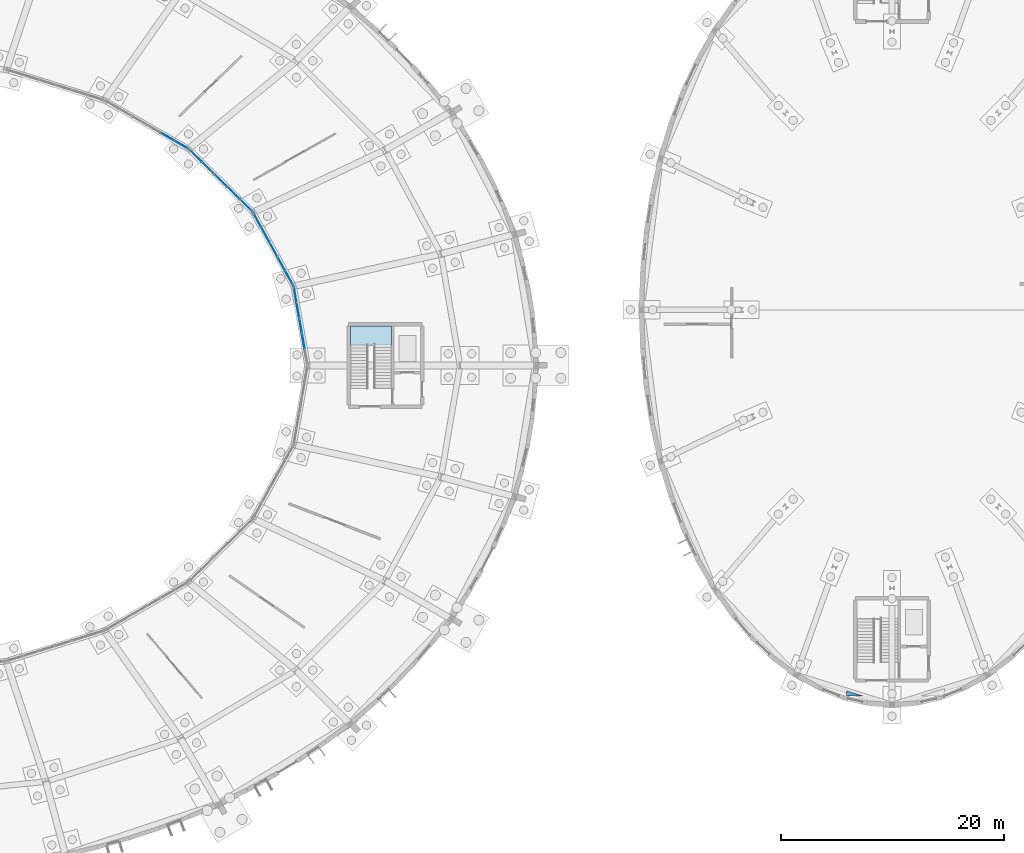
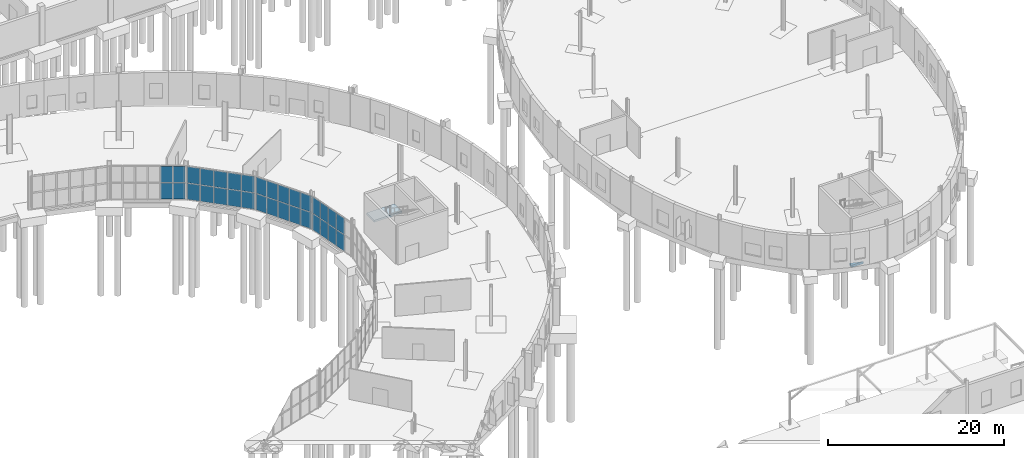
# One storey, part 77 of 118: 32 plates, 2 slabs, 5 elements without a shape of their own.
"""IFC4 building model written with IfcOpenShell, lengths in metres."""

from ifc_helpers import new_model, si_unit, direction, frame, origin, origin_2d, place, context, subcontext, project, spatial, polyline, rectangle, outline, extrude, material, layer, layer_set, type_object, element, aggregate, save


model = new_model("IFC4")

# Units and contexts
model_context = context("Model", 3, precision=1e-05, world=origin(), true_north=direction((0.0, 1.0)))
body_context = subcontext(model_context, "Body", "Model", "MODEL_VIEW")
ifc_project = project(units=[si_unit("LENGTHUNIT", "METRE"), si_unit("AREAUNIT", "SQUARE_METRE"), si_unit("VOLUMEUNIT", "CUBIC_METRE"), si_unit("PLANEANGLEUNIT", "RADIAN"), si_unit("MASSUNIT", "GRAM", prefix="KILO")], contexts=[model_context])

# Site, building, storey
site_placement = place(None, origin())
site = spatial("IfcSite", under=ifc_project, at=site_placement, CompositionType="ELEMENT")
building_placement = place(site_placement, origin())
building = spatial("IfcBuilding", under=site, at=building_placement, Name="Kildeholm Park Wholesale Market", CompositionType="ELEMENT")
storey_placement = place(building_placement, origin())
storey = spatial("IfcBuildingStorey", under=building, at=storey_placement, Name="L00", CompositionType="ELEMENT", Elevation=0.0)

# Curtain wall, plates
ifc_material_1 = material(Name="Anodised aluminium and low-E double-glazed glass", Category="aluminium")
curtain_wall_type = type_object("IfcCurtainWallType", Name="Market hall glazed arcade stick curtain wall CW-01", PredefinedType="NOTDEFINED", material=ifc_material_1)
curtain_wall_1_placement = place(storey_placement, origin())
curtain_wall_1 = element("IfcCurtainWall", 1, at=curtain_wall_1_placement, inside=storey, type_object=curtain_wall_type, Name="Curtain wall CW-V1-IN0-00 CW-0003", PredefinedType="NOTDEFINED")
ifc_material_2 = material(Name="Double-glazed low-E insulated glass", Category="glass")
ifc_layer_1 = layer(ifc_material_2, 0.028076171875)
ifc_layer_set_1 = layer_set([ifc_layer_1], Name="Double-glazed low-E insulated glass")
plate_type = type_object("IfcPlateType", Name="Curtain-wall panel CWP-1 28 mm", PredefinedType="CURTAIN_PANEL", material=ifc_layer_set_1)
plate_1_placement = place(storey_placement, frame((135.131103515625, 91.651611328125, 0.06494140625), z_axis=(0.0, 0.0, 1.0), x_axis=(-0.172132515628, 0.985073802851, 0.0)))
plate_1 = element("IfcPlate", 2, at=plate_1_placement, type_object=plate_type, Name="CW-01 panel 2.1 PLT-0204", PredefinedType="CURTAIN_PANEL", context=body_context, shape_type="SweptSolid", body=[
    extrude(rectangle(XDim=1.364013671875, YDim=0.028076171875, at=origin_2d()), origin(), (0.0, 0.0, 1.0), 2.25244140625),
])
plate_2_placement = place(storey_placement, frame((135.131103515625, 91.651611328125, 2.382568359375), z_axis=(0.0, 0.0, 1.0), x_axis=(-0.172132515628, 0.985073802851, 0.0)))
plate_2 = element("IfcPlate", 3, at=plate_2_placement, type_object=plate_type, Name="CW-01 panel 2.2 PLT-0205", PredefinedType="CURTAIN_PANEL", context=body_context, shape_type="SweptSolid", body=[
    extrude(rectangle(XDim=1.364013671875, YDim=0.028076171875, at=origin_2d()), origin(), (0.0, 0.0, 1.0), 2.25244140625),
])
plate_3_placement = place(storey_placement, frame((134.885009765625, 93.0595703125, 0.06494140625), z_axis=(0.0, 0.0, 1.0), x_axis=(-0.172132515628, 0.985073802851, 0.0)))
plate_3 = element("IfcPlate", 4, at=plate_3_placement, type_object=plate_type, Name="CW-01 panel 3.1 PLT-0206", PredefinedType="CURTAIN_PANEL", context=body_context, shape_type="SweptSolid", body=[
    extrude(rectangle(XDim=1.364013671875, YDim=0.028076171875, at=origin_2d()), origin(), (0.0, 0.0, 1.0), 2.25244140625),
])
plate_4_placement = place(storey_placement, frame((134.885009765625, 93.0595703125, 2.382568359375), z_axis=(0.0, 0.0, 1.0), x_axis=(-0.172132515628, 0.985073802851, 0.0)))
plate_4 = element("IfcPlate", 5, at=plate_4_placement, type_object=plate_type, Name="CW-01 panel 3.2 PLT-0207", PredefinedType="CURTAIN_PANEL", context=body_context, shape_type="SweptSolid", body=[
    extrude(rectangle(XDim=1.364013671875, YDim=0.028076171875, at=origin_2d()), origin(), (0.0, 0.0, 1.0), 2.25244140625),
])
plate_5_placement = place(storey_placement, frame((134.638916015625, 94.46728515625, 0.06494140625), z_axis=(0.0, 0.0, 1.0), x_axis=(-0.172132515628, 0.985073802851, 0.0)))
plate_5 = element("IfcPlate", 6, at=plate_5_placement, type_object=plate_type, Name="CW-01 panel 4.1 PLT-0208", PredefinedType="CURTAIN_PANEL", context=body_context, shape_type="SweptSolid", body=[
    extrude(rectangle(XDim=1.364013671875, YDim=0.028076171875, at=origin_2d()), origin(), (0.0, 0.0, 1.0), 2.25244140625),
])
plate_6_placement = place(storey_placement, frame((134.638916015625, 94.46728515625, 2.382568359375), z_axis=(0.0, 0.0, 1.0), x_axis=(-0.172132515628, 0.985073802851, 0.0)))
plate_6 = element("IfcPlate", 7, at=plate_6_placement, type_object=plate_type, Name="CW-01 panel 4.2 PLT-0209", PredefinedType="CURTAIN_PANEL", context=body_context, shape_type="SweptSolid", body=[
    extrude(rectangle(XDim=1.364013671875, YDim=0.028076171875, at=origin_2d()), origin(), (0.0, 0.0, 1.0), 2.25244140625),
])
plate_7_placement = place(storey_placement, frame((134.395751953125, 95.859130859375, 0.06494140625), z_axis=(0.0, 0.0, 1.0), x_axis=(-0.172132515628, 0.985073802851, 0.0)))
plate_7 = element("IfcPlate", 8, at=plate_7_placement, type_object=plate_type, Name="CW-01 panel 5.1 PLT-0210", PredefinedType="CURTAIN_PANEL", context=body_context, shape_type="SweptSolid", body=[
    extrude(rectangle(XDim=1.33154296875, YDim=0.028076171875, at=origin_2d()), origin(), (0.0, 0.0, 1.0), 2.25244140625),
])
plate_8_placement = place(storey_placement, frame((134.395751953125, 95.859130859375, 2.382568359375), z_axis=(0.0, 0.0, 1.0), x_axis=(-0.172132515628, 0.985073802851, 0.0)))
plate_8 = element("IfcPlate", 9, at=plate_8_placement, type_object=plate_type, Name="CW-01 panel 5.2 PLT-0211", PredefinedType="CURTAIN_PANEL", context=body_context, shape_type="SweptSolid", body=[
    extrude(rectangle(XDim=1.33154296875, YDim=0.028076171875, at=origin_2d()), origin(), (0.0, 0.0, 1.0), 2.25244140625),
])
aggregate(curtain_wall_1, [plate_1, plate_2, plate_3, plate_4, plate_5, plate_6, plate_7, plate_8])

curtain_wall_2_placement = place(storey_placement, origin())
curtain_wall_2 = element("IfcCurtainWall", 10, at=curtain_wall_2_placement, inside=storey, type_object=curtain_wall_type, Name="Curtain wall CW-V1-IN0-01 CW-0008", PredefinedType="NOTDEFINED")
plate_9_placement = place(storey_placement, frame((133.874267578125, 97.324462890625, 0.06494140625), z_axis=(0.0, 0.0, 1.0), x_axis=(-0.481749595055, 0.876308922506, 0.0)))
plate_9 = element("IfcPlate", 11, at=plate_9_placement, type_object=plate_type, Name="CW-01 panel 1.1 PLT-0262", PredefinedType="CURTAIN_PANEL", context=body_context, shape_type="SweptSolid", body=[
    extrude(rectangle(XDim=1.400390625, YDim=0.028076171875, at=origin_2d()), origin(), (0.0, 0.0, 1.0), 2.25244140625),
])
plate_10_placement = place(storey_placement, frame((133.874267578125, 97.324462890625, 2.382568359375), z_axis=(0.0, 0.0, 1.0), x_axis=(-0.481749595055, 0.876308922506, 0.0)))
plate_10 = element("IfcPlate", 12, at=plate_10_placement, type_object=plate_type, Name="CW-01 panel 1.2 PLT-0263", PredefinedType="CURTAIN_PANEL", context=body_context, shape_type="SweptSolid", body=[
    extrude(rectangle(XDim=1.400390625, YDim=0.028076171875, at=origin_2d()), origin(), (0.0, 0.0, 1.0), 2.25244140625),
])
plate_11_placement = place(storey_placement, frame((133.16064453125, 98.622802734375, 0.06494140625), z_axis=(0.0, 0.0, 1.0), x_axis=(-0.481749595055, 0.876308922506, 0.0)))
plate_11 = element("IfcPlate", 13, at=plate_11_placement, type_object=plate_type, Name="CW-01 panel 2.1 PLT-0264", PredefinedType="CURTAIN_PANEL", context=body_context, shape_type="SweptSolid", body=[
    extrude(rectangle(XDim=1.432861328125, YDim=0.028076171875, at=origin_2d()), origin(), (0.0, 0.0, 1.0), 2.25244140625),
])
plate_12_placement = place(storey_placement, frame((133.16064453125, 98.622802734375, 2.382568359375), z_axis=(0.0, 0.0, 1.0), x_axis=(-0.481749595055, 0.876308922506, 0.0)))
plate_12 = element("IfcPlate", 14, at=plate_12_placement, type_object=plate_type, Name="CW-01 panel 2.2 PLT-0265", PredefinedType="CURTAIN_PANEL", context=body_context, shape_type="SweptSolid", body=[
    extrude(rectangle(XDim=1.432861328125, YDim=0.028076171875, at=origin_2d()), origin(), (0.0, 0.0, 1.0), 2.25244140625),
])
plate_13_placement = place(storey_placement, frame((132.43896484375, 99.935546875, 0.06494140625), z_axis=(0.0, 0.0, 1.0), x_axis=(-0.481749595055, 0.876308922506, 0.0)))
plate_13 = element("IfcPlate", 15, at=plate_13_placement, type_object=plate_type, Name="CW-01 panel 3.1 PLT-0266", PredefinedType="CURTAIN_PANEL", context=body_context, shape_type="SweptSolid", body=[
    extrude(rectangle(XDim=1.432861328125, YDim=0.028076171875, at=origin_2d()), origin(), (0.0, 0.0, 1.0), 2.25244140625),
])
plate_14_placement = place(storey_placement, frame((132.43896484375, 99.935546875, 2.382568359375), z_axis=(0.0, 0.0, 1.0), x_axis=(-0.481749595055, 0.876308922506, 0.0)))
plate_14 = element("IfcPlate", 16, at=plate_14_placement, type_object=plate_type, Name="CW-01 panel 3.2 PLT-0267", PredefinedType="CURTAIN_PANEL", context=body_context, shape_type="SweptSolid", body=[
    extrude(rectangle(XDim=1.432861328125, YDim=0.028076171875, at=origin_2d()), origin(), (0.0, 0.0, 1.0), 2.25244140625),
])
plate_15_placement = place(storey_placement, frame((131.71728515625, 101.248046875, 0.06494140625), z_axis=(0.0, 0.0, 1.0), x_axis=(-0.481749595055, 0.876308922506, 0.0)))
plate_15 = element("IfcPlate", 17, at=plate_15_placement, type_object=plate_type, Name="CW-01 panel 4.1 PLT-0268", PredefinedType="CURTAIN_PANEL", context=body_context, shape_type="SweptSolid", body=[
    extrude(rectangle(XDim=1.432861328125, YDim=0.028076171875, at=origin_2d()), origin(), (0.0, 0.0, 1.0), 2.25244140625),
])
plate_16_placement = place(storey_placement, frame((131.71728515625, 101.248046875, 2.382568359375), z_axis=(0.0, 0.0, 1.0), x_axis=(-0.481749595055, 0.876308922506, 0.0)))
plate_16 = element("IfcPlate", 18, at=plate_16_placement, type_object=plate_type, Name="CW-01 panel 4.2 PLT-0269", PredefinedType="CURTAIN_PANEL", context=body_context, shape_type="SweptSolid", body=[
    extrude(rectangle(XDim=1.432861328125, YDim=0.028076171875, at=origin_2d()), origin(), (0.0, 0.0, 1.0), 2.25244140625),
])
plate_17_placement = place(storey_placement, frame((131.003662109375, 102.54638671875, 0.06494140625), z_axis=(0.0, 0.0, 1.0), x_axis=(-0.481749595055, 0.876308922506, 0.0)))
plate_17 = element("IfcPlate", 19, at=plate_17_placement, type_object=plate_type, Name="CW-01 panel 5.1 PLT-0270", PredefinedType="CURTAIN_PANEL", context=body_context, shape_type="SweptSolid", body=[
    extrude(rectangle(XDim=1.400390625, YDim=0.028076171875, at=origin_2d()), origin(), (0.0, 0.0, 1.0), 2.25244140625),
])
plate_18_placement = place(storey_placement, frame((131.003662109375, 102.54638671875, 2.382568359375), z_axis=(0.0, 0.0, 1.0), x_axis=(-0.481749595055, 0.876308922506, 0.0)))
plate_18 = element("IfcPlate", 20, at=plate_18_placement, type_object=plate_type, Name="CW-01 panel 5.2 PLT-0271", PredefinedType="CURTAIN_PANEL", context=body_context, shape_type="SweptSolid", body=[
    extrude(rectangle(XDim=1.400390625, YDim=0.028076171875, at=origin_2d()), origin(), (0.0, 0.0, 1.0), 2.25244140625),
])
aggregate(curtain_wall_2, [plate_9, plate_10, plate_11, plate_12, plate_13, plate_14, plate_15, plate_16, plate_17, plate_18])

curtain_wall_3_placement = place(storey_placement, origin())
curtain_wall_3 = element("IfcCurtainWall", 21, at=curtain_wall_3_placement, inside=storey, type_object=curtain_wall_type, Name="Curtain wall CW-V1-IN0-02 CW-0013", PredefinedType="NOTDEFINED")
plate_19_placement = place(storey_placement, frame((130.0, 103.856201171875, 0.06494140625), z_axis=(0.0, 0.0, 1.0), x_axis=(-0.713537995789, 0.700616534607, 0.0)))
plate_19 = element("IfcPlate", 22, at=plate_19_placement, type_object=plate_type, Name="CW-01 panel 1.1 PLT-0324", PredefinedType="CURTAIN_PANEL", context=body_context, shape_type="SweptSolid", body=[
    extrude(rectangle(XDim=1.51220703125, YDim=0.028076171875, at=origin_2d()), origin(), (0.0, 0.0, 1.0), 2.25244140625),
])
plate_20_placement = place(storey_placement, frame((130.0, 103.856201171875, 2.382568359375), z_axis=(0.0, 0.0, 1.0), x_axis=(-0.713537995789, 0.700616534607, 0.0)))
plate_20 = element("IfcPlate", 23, at=plate_20_placement, type_object=plate_type, Name="CW-01 panel 1.2 PLT-0325", PredefinedType="CURTAIN_PANEL", context=body_context, shape_type="SweptSolid", body=[
    extrude(rectangle(XDim=1.51220703125, YDim=0.028076171875, at=origin_2d()), origin(), (0.0, 0.0, 1.0), 2.25244140625),
])
plate_21_placement = place(storey_placement, frame((128.863037109375, 104.97265625, 0.06494140625), z_axis=(0.0, 0.0, 1.0), x_axis=(-0.713537995789, 0.700616534607, 0.0)))
plate_21 = element("IfcPlate", 24, at=plate_21_placement, type_object=plate_type, Name="CW-01 panel 2.1 PLT-0326", PredefinedType="CURTAIN_PANEL", context=body_context, shape_type="SweptSolid", body=[
    extrude(rectangle(XDim=1.544677734375, YDim=0.028076171875, at=origin_2d()), origin(), (0.0, 0.0, 1.0), 2.25244140625),
])
plate_22_placement = place(storey_placement, frame((128.863037109375, 104.97265625, 2.382568359375), z_axis=(0.0, 0.0, 1.0), x_axis=(-0.713537995789, 0.700616534607, 0.0)))
plate_22 = element("IfcPlate", 25, at=plate_22_placement, type_object=plate_type, Name="CW-01 panel 2.2 PLT-0327", PredefinedType="CURTAIN_PANEL", context=body_context, shape_type="SweptSolid", body=[
    extrude(rectangle(XDim=1.544677734375, YDim=0.028076171875, at=origin_2d()), origin(), (0.0, 0.0, 1.0), 2.25244140625),
])
plate_23_placement = place(storey_placement, frame((127.714599609375, 106.1005859375, 0.06494140625), z_axis=(0.0, 0.0, 1.0), x_axis=(-0.713537995789, 0.700616534607, 0.0)))
plate_23 = element("IfcPlate", 26, at=plate_23_placement, type_object=plate_type, Name="CW-01 panel 3.1 PLT-0328", PredefinedType="CURTAIN_PANEL", context=body_context, shape_type="SweptSolid", body=[
    extrude(rectangle(XDim=1.544677734375, YDim=0.028076171875, at=origin_2d()), origin(), (0.0, 0.0, 1.0), 2.25244140625),
])
plate_24_placement = place(storey_placement, frame((127.714599609375, 106.1005859375, 2.382568359375), z_axis=(0.0, 0.0, 1.0), x_axis=(-0.713537995789, 0.700616534607, 0.0)))
plate_24 = element("IfcPlate", 27, at=plate_24_placement, type_object=plate_type, Name="CW-01 panel 3.2 PLT-0329", PredefinedType="CURTAIN_PANEL", context=body_context, shape_type="SweptSolid", body=[
    extrude(rectangle(XDim=1.544677734375, YDim=0.028076171875, at=origin_2d()), origin(), (0.0, 0.0, 1.0), 2.25244140625),
])
plate_25_placement = place(storey_placement, frame((126.56591796875, 107.228271484375, 0.06494140625), z_axis=(0.0, 0.0, 1.0), x_axis=(-0.713537995789, 0.700616534607, 0.0)))
plate_25 = element("IfcPlate", 28, at=plate_25_placement, type_object=plate_type, Name="CW-01 panel 4.1 PLT-0330", PredefinedType="CURTAIN_PANEL", context=body_context, shape_type="SweptSolid", body=[
    extrude(rectangle(XDim=1.544677734375, YDim=0.028076171875, at=origin_2d()), origin(), (0.0, 0.0, 1.0), 2.25244140625),
])
plate_26_placement = place(storey_placement, frame((126.56591796875, 107.228271484375, 2.382568359375), z_axis=(0.0, 0.0, 1.0), x_axis=(-0.713537995789, 0.700616534607, 0.0)))
plate_26 = element("IfcPlate", 29, at=plate_26_placement, type_object=plate_type, Name="CW-01 panel 4.2 PLT-0331", PredefinedType="CURTAIN_PANEL", context=body_context, shape_type="SweptSolid", body=[
    extrude(rectangle(XDim=1.544677734375, YDim=0.028076171875, at=origin_2d()), origin(), (0.0, 0.0, 1.0), 2.25244140625),
])
plate_27_placement = place(storey_placement, frame((125.428955078125, 108.3447265625, 0.06494140625), z_axis=(0.0, 0.0, 1.0), x_axis=(-0.713537995789, 0.700616534607, 0.0)))
plate_27 = element("IfcPlate", 30, at=plate_27_placement, type_object=plate_type, Name="CW-01 panel 5.1 PLT-0332", PredefinedType="CURTAIN_PANEL", context=body_context, shape_type="SweptSolid", body=[
    extrude(rectangle(XDim=1.51220703125, YDim=0.028076171875, at=origin_2d()), origin(), (0.0, 0.0, 1.0), 2.25244140625),
])
plate_28_placement = place(storey_placement, frame((125.428955078125, 108.3447265625, 2.382568359375), z_axis=(0.0, 0.0, 1.0), x_axis=(-0.713537995789, 0.700616534607, 0.0)))
plate_28 = element("IfcPlate", 31, at=plate_28_placement, type_object=plate_type, Name="CW-01 panel 5.2 PLT-0333", PredefinedType="CURTAIN_PANEL", context=body_context, shape_type="SweptSolid", body=[
    extrude(rectangle(XDim=1.51220703125, YDim=0.028076171875, at=origin_2d()), origin(), (0.0, 0.0, 1.0), 2.25244140625),
])
aggregate(curtain_wall_3, [plate_19, plate_20, plate_21, plate_22, plate_23, plate_24, plate_25, plate_26, plate_27, plate_28])

curtain_wall_4_placement = place(storey_placement, origin())
curtain_wall_4 = element("IfcCurtainWall", 32, at=curtain_wall_4_placement, inside=storey, type_object=curtain_wall_type, Name="Curtain wall CW-V1-IN0-03 CW-0018", PredefinedType="NOTDEFINED")
plate_29_placement = place(storey_placement, frame((124.1396484375, 109.337890625, 0.06494140625), z_axis=(0.0, 0.0, 1.0), x_axis=(-0.865742656621, 0.500489412982, 0.0)))
plate_29 = element("IfcPlate", 33, at=plate_29_placement, type_object=plate_type, Name="CW-01 panel 1.1 PLT-0388", PredefinedType="CURTAIN_PANEL", context=body_context, shape_type="SweptSolid", body=[
    extrude(rectangle(XDim=1.344482421875, YDim=0.028076171875, at=origin_2d()), origin(), (0.0, 0.0, 1.0), 2.25244140625),
])
plate_30_placement = place(storey_placement, frame((124.1396484375, 109.337890625, 2.382568359375), z_axis=(0.0, 0.0, 1.0), x_axis=(-0.865742656621, 0.500489412982, 0.0)))
plate_30 = element("IfcPlate", 34, at=plate_30_placement, type_object=plate_type, Name="CW-01 panel 1.2 PLT-0389", PredefinedType="CURTAIN_PANEL", context=body_context, shape_type="SweptSolid", body=[
    extrude(rectangle(XDim=1.344482421875, YDim=0.028076171875, at=origin_2d()), origin(), (0.0, 0.0, 1.0), 2.25244140625),
])
plate_31_placement = place(storey_placement, frame((122.905517578125, 110.051513671875, 0.06494140625), z_axis=(0.0, 0.0, 1.0), x_axis=(-0.865742656621, 0.500489412982, 0.0)))
plate_31 = element("IfcPlate", 35, at=plate_31_placement, type_object=plate_type, Name="CW-01 panel 2.1 PLT-0390", PredefinedType="CURTAIN_PANEL", context=body_context, shape_type="SweptSolid", body=[
    extrude(rectangle(XDim=1.376953125, YDim=0.028076171875, at=origin_2d()), origin(), (0.0, 0.0, 1.0), 2.25244140625),
])
plate_32_placement = place(storey_placement, frame((122.905517578125, 110.051513671875, 2.382568359375), z_axis=(0.0, 0.0, 1.0), x_axis=(-0.865742656621, 0.500489412982, 0.0)))
plate_32 = element("IfcPlate", 36, at=plate_32_placement, type_object=plate_type, Name="CW-01 panel 2.2 PLT-0391", PredefinedType="CURTAIN_PANEL", context=body_context, shape_type="SweptSolid", body=[
    extrude(rectangle(XDim=1.376953125, YDim=0.028076171875, at=origin_2d()), origin(), (0.0, 0.0, 1.0), 2.25244140625),
])
aggregate(curtain_wall_4, [plate_29, plate_30, plate_31, plate_32])

# Slab
ifc_material_3 = material(Name="Concrete C35/45", Category="concrete")
ifc_layer_2 = layer(ifc_material_3, 0.300048828125)
ifc_layer_set_2 = layer_set([ifc_layer_2], Name="Concrete C35/45")
slab_type_1 = type_object("IfcSlabType", Name="Slab S-BS1 300 mm", PredefinedType="BASESLAB", material=ifc_layer_set_2)
slab_1_placement = place(storey_placement, frame((0.0, 0.0, -0.300048828125)))
element("IfcSlab", 37, at=slab_1_placement, inside=storey, type_object=slab_type_1, Name="Core C12 ground base pad SLB-0470", PredefinedType="BASESLAB", context=body_context, shape_type="SweptSolid", body=[
    extrude(outline(polyline([(183.89990234375, 59.800048828125), (183.89990234375, 60.281005859375), (185.43408203125, 59.800048828125), (183.89990234375, 59.800048828125)])), origin(), (0.0, 0.0, 1.0), 0.300048828125),
])

# Stair, slab
stair_type = type_object("IfcStairType", Name="Protected core escape stair ST-CR1", PredefinedType="HALF_TURN_STAIR", material=ifc_material_3)
stair_placement = place(storey_placement, origin())
stair = element("IfcStair", 38, at=stair_placement, inside=storey, type_object=stair_type, Name="Escape stair C08 L00 STR-0020", PredefinedType="HALF_TURN_STAIR")
ifc_layer_3 = layer(ifc_material_3, 0.239990234375)
ifc_layer_set_3 = layer_set([ifc_layer_3], Name="Concrete C35/45")
slab_type_2 = type_object("IfcSlabType", Name="Stair landing slab S-LD1 240 mm", PredefinedType="LANDING", material=ifc_layer_set_3)
slab_2_placement = place(storey_placement, frame((0.0, 0.0, 2.4599609375)))
slab_2 = element("IfcSlab", 39, at=slab_2_placement, type_object=slab_type_2, Name="ST-08-00 landing 1 SLB-0447", PredefinedType="LANDING", context=body_context, shape_type="SweptSolid", body=[
    extrude(outline(polyline([(139.35009765625, 91.300048828125), (143.030029296875, 91.320068359375), (143.030029296875, 93.050048828125), (139.35009765625, 93.050048828125), (139.35009765625, 91.300048828125)])), origin(), (0.0, 0.0, 1.0), 0.239990234375),
])
aggregate(stair, [slab_2])

save(model, "model.ifc")
